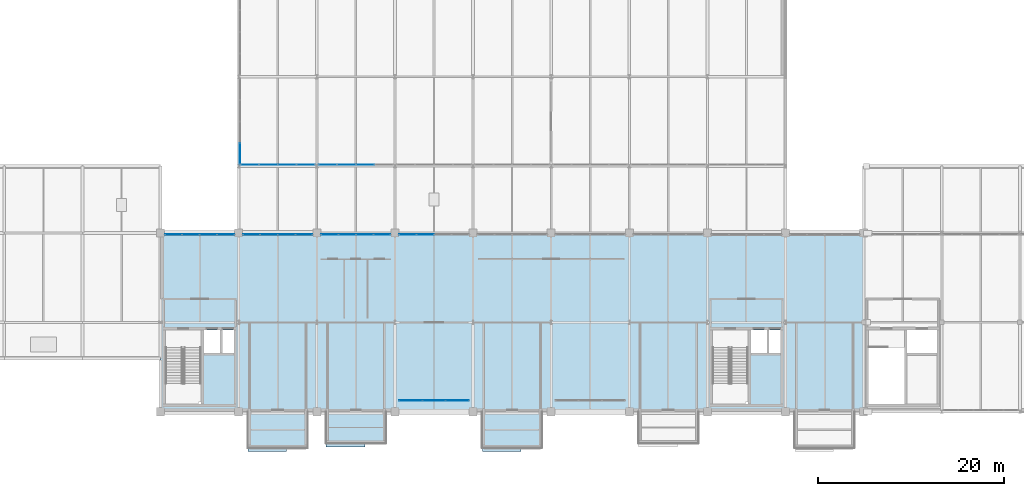
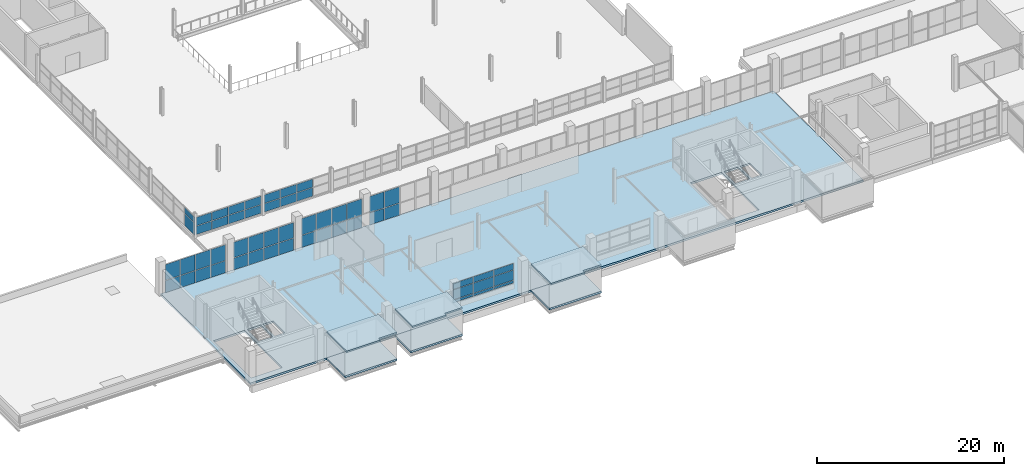
# One storey, part 84 of 103: 53 plates, 7 slabs, 8 elements without a shape of their own.
"""IFC4 building model written with IfcOpenShell, lengths in metres."""

from ifc_helpers import new_model, si_unit, direction, frame, origin, origin_2d, place, context, subcontext, project, spatial, polyline, rectangle, outline, extrude, material, layer, layer_set, type_object, element, aggregate, save


model = new_model("IFC4")

# Units and contexts
model_context = context("Model", 3, precision=1e-05, world=origin(), true_north=direction((0.0, 1.0)))
body_context = subcontext(model_context, "Body", "Model", "MODEL_VIEW")
ifc_project = project(units=[si_unit("LENGTHUNIT", "METRE"), si_unit("AREAUNIT", "SQUARE_METRE"), si_unit("VOLUMEUNIT", "CUBIC_METRE"), si_unit("PLANEANGLEUNIT", "RADIAN"), si_unit("MASSUNIT", "GRAM", prefix="KILO")], contexts=[model_context])

# Site, building, storey
site_placement = place(None, origin())
site = spatial("IfcSite", under=ifc_project, at=site_placement, CompositionType="ELEMENT")
building_placement = place(site_placement, origin())
building = spatial("IfcBuilding", under=site, at=building_placement, Name="Veltarok Museum of Natural Sciences", CompositionType="ELEMENT")
storey_placement = place(building_placement, frame((0.0, 0.0, 21.89990234375)))
storey = spatial("IfcBuildingStorey", under=building, at=storey_placement, Name="L04", CompositionType="ELEMENT", Elevation=21.89990234375)

# Slabs
ifc_material_1 = material(Name="Concrete C35/45", Category="concrete")
ifc_layer_1 = layer(ifc_material_1, 0.199951171875)
ifc_layer_set_1 = layer_set([ifc_layer_1], Name="Concrete C35/45")
slab_type_1 = type_object("IfcSlabType", Name="Cantilevered Cabinet Box Roof Slab 200", PredefinedType="ROOF", material=ifc_layer_set_1)
slab_1_placement = place(storey_placement, frame((0.0, 0.0, 3.25)))
element("IfcSlab", 1, at=slab_1_placement, inside=storey, type_object=slab_type_1, Name="Cabinet Box Roof Slab DB-19", PredefinedType="ROOF", context=body_context, shape_type="SweptSolid", body=[
    extrude(outline(polyline([(41.0, -4.280029296875), (45.159912109375, -4.280029296875), (45.159912109375, -3.89990234375), (47.39990234375, -3.89990234375), (47.39990234375, 0.0), (41.0, 0.0), (41.0, -4.280029296875)])), origin(), (0.0, 0.0, 1.0), 0.2001953125),
])
slab_2_placement = place(storey_placement, frame((0.0, 0.0, 3.25)))
element("IfcSlab", 2, at=slab_2_placement, inside=storey, type_object=slab_type_1, Name="Cabinet Box Roof Slab DB-20", PredefinedType="ROOF", context=body_context, shape_type="SweptSolid", body=[
    extrude(outline(polyline([(49.39990234375, -3.780029296875), (53.56005859375, -3.780029296875), (53.56005859375, -3.39990234375), (55.800048828125, -3.39990234375), (55.800048828125, 0.0), (49.39990234375, 0.0), (49.39990234375, -3.780029296875)])), origin(), (0.0, 0.0, 1.0), 0.2001953125),
])
slab_3_placement = place(storey_placement, frame((0.0, 0.0, 3.25)))
element("IfcSlab", 3, at=slab_3_placement, inside=storey, type_object=slab_type_1, Name="Cabinet Box Roof Slab DB-21", PredefinedType="ROOF", context=body_context, shape_type="SweptSolid", body=[
    extrude(outline(polyline([(66.199951171875, -4.280029296875), (70.360107421875, -4.280029296875), (70.360107421875, -3.89990234375), (72.60009765625, -3.89990234375), (72.60009765625, 0.0), (66.199951171875, 0.0), (66.199951171875, -4.280029296875)])), origin(), (0.0, 0.0, 1.0), 0.2001953125),
])
ifc_layer_2 = layer(ifc_material_1, 0.25)
ifc_layer_set_2 = layer_set([ifc_layer_2], Name="Concrete C35/45")
slab_type_2 = type_object("IfcSlabType", Name="Suspended Museum Floor Slab 250", PredefinedType="FLOOR", material=ifc_layer_set_2)
slab_4_placement = place(storey_placement, frame((0.0, 0.0, -0.25)))
element("IfcSlab", 4, at=slab_4_placement, inside=storey, type_object=slab_type_2, Name="Floor Slab L04 V1", PredefinedType="FLOOR", context=body_context, shape_type="SweptSolid", body=[
    extrude(outline(polyline([(31.60009765625, 0.0), (31.60009765625, 19.199951171875), (107.175048828125, 19.199951171875), (107.175048828125, 0.0), (31.60009765625, 0.0)]), holes=[polyline([(32.1298828125, 8.800048828125), (32.1298828125, 0.800048828125), (35.969970703125, 0.800048828125), (35.969970703125, 8.800048828125), (32.1298828125, 8.800048828125)]), polyline([(94.77001953125, 8.800048828125), (90.929931640625, 8.800048828125), (90.929931640625, 0.800048828125), (94.77001953125, 0.800048828125), (94.77001953125, 8.800048828125)]), polyline([(37.989990234375, 8.800048828125), (36.27001953125, 8.800048828125), (36.27001953125, 6.300048828125), (37.989990234375, 6.300048828125), (37.989990234375, 8.800048828125)]), polyline([(39.469970703125, 8.800048828125), (38.239990234375, 8.800048828125), (38.239990234375, 6.300048828125), (39.469970703125, 6.300048828125), (39.469970703125, 8.800048828125)]), polyline([(96.7900390625, 8.800048828125), (95.070068359375, 8.800048828125), (95.070068359375, 6.300048828125), (96.7900390625, 6.300048828125), (96.7900390625, 8.800048828125)]), polyline([(98.27001953125, 8.800048828125), (97.0400390625, 8.800048828125), (97.0400390625, 6.300048828125), (98.27001953125, 6.300048828125), (98.27001953125, 8.800048828125)])]), origin(), (0.0, 0.0, 1.0), 0.25),
])
slab_5_placement = place(storey_placement, frame((0.0, 0.0, -0.25)))
element("IfcSlab", 5, at=slab_5_placement, inside=storey, type_object=slab_type_2, Name="Cabinet Box Floor Slab DB-19", PredefinedType="FLOOR", context=body_context, shape_type="SweptSolid", body=[
    extrude(outline(polyline([(41.0, -3.89990234375), (47.39990234375, -3.89990234375), (47.39990234375, 0.0), (41.0, 0.0), (41.0, -3.89990234375)])), origin(), (0.0, 0.0, 1.0), 0.25),
])
slab_6_placement = place(storey_placement, frame((0.0, 0.0, -0.25)))
element("IfcSlab", 6, at=slab_6_placement, inside=storey, type_object=slab_type_2, Name="Cabinet Box Floor Slab DB-20", PredefinedType="FLOOR", context=body_context, shape_type="SweptSolid", body=[
    extrude(outline(polyline([(49.39990234375, -3.39990234375), (55.800048828125, -3.39990234375), (55.800048828125, 0.0), (49.39990234375, 0.0), (49.39990234375, -3.39990234375)])), origin(), (0.0, 0.0, 1.0), 0.25),
])
slab_7_placement = place(storey_placement, frame((0.0, 0.0, -0.25)))
element("IfcSlab", 7, at=slab_7_placement, inside=storey, type_object=slab_type_2, Name="Cabinet Box Floor Slab DB-21", PredefinedType="FLOOR", context=body_context, shape_type="SweptSolid", body=[
    extrude(outline(polyline([(66.199951171875, -3.89990234375), (72.60009765625, -3.89990234375), (72.60009765625, 0.0), (66.199951171875, 0.0), (66.199951171875, -3.89990234375)])), origin(), (0.0, 0.0, 1.0), 0.25),
])

# Curtain wall, plates
ifc_material_2 = material(Name="Low-iron triple insulated glass", Category="glass")
curtain_wall_type_1 = type_object("IfcCurtainWallType", Name="Curtain Wall System CW-CAB-L04-B-755x266 (V1 Recessed L04 755x266cm)", PredefinedType="NOTDEFINED", material=ifc_material_2)
curtain_wall_1_placement = place(storey_placement, origin())
curtain_wall_1 = element("IfcCurtainWall", 8, at=curtain_wall_1_placement, inside=storey, type_object=curtain_wall_type_1, Name="Curtain Wall CW-CAB-L04-B-755x266 CW-0007", PredefinedType="NOTDEFINED")
ifc_layer_3 = layer(ifc_material_2, 0.028076171875)
ifc_layer_set_3 = layer_set([ifc_layer_3], Name="Low-iron triple insulated glass")
plate_type = type_object("IfcPlateType", Name="Triple Low-Iron Glazed Vision Panel 28", PredefinedType="CURTAIN_PANEL", material=ifc_layer_set_3)
plate_1_placement = place(storey_placement, frame((58.498291015625, 1.199951171875, 0.739990234375), z_axis=(0.0, 0.0, 1.0), x_axis=(1.0, 0.0, 0.0)))
plate_1 = element("IfcPlate", 9, at=plate_1_placement, type_object=plate_type, Name="CW-CAB-L04-B-755x266 panel 1.1", PredefinedType="CURTAIN_PANEL", context=body_context, shape_type="SweptSolid", body=[
    extrude(rectangle(XDim=2.4267578125, YDim=0.028076171875, at=origin_2d()), origin(), (0.0, 0.0, 1.0), 0.330078125),
])
plate_2_placement = place(storey_placement, frame((58.498291015625, 1.199951171875, 1.130126953125), z_axis=(0.0, 0.0, 1.0), x_axis=(1.0, 0.0, 0.0)))
plate_2 = element("IfcPlate", 10, at=plate_2_placement, type_object=plate_type, Name="CW-CAB-L04-B-755x266 panel 1.2", PredefinedType="CURTAIN_PANEL", context=body_context, shape_type="SweptSolid", body=[
    extrude(rectangle(XDim=2.4267578125, YDim=0.028076171875, at=origin_2d()), origin(), (0.0, 0.0, 1.0), 1.2900390625),
])
plate_3_placement = place(storey_placement, frame((58.498291015625, 1.199951171875, 2.480224609375), z_axis=(0.0, 0.0, 1.0), x_axis=(1.0, 0.0, 0.0)))
plate_3 = element("IfcPlate", 11, at=plate_3_placement, type_object=plate_type, Name="CW-CAB-L04-B-755x266 panel 1.3", PredefinedType="CURTAIN_PANEL", context=body_context, shape_type="SweptSolid", body=[
    extrude(rectangle(XDim=2.4267578125, YDim=0.028076171875, at=origin_2d()), origin(), (0.0, 0.0, 1.0), 0.794921875),
])
plate_4_placement = place(storey_placement, frame((61.0, 1.199951171875, 0.739990234375), z_axis=(0.0, 0.0, 1.0), x_axis=(1.0, 0.0, 0.0)))
plate_4 = element("IfcPlate", 12, at=plate_4_placement, type_object=plate_type, Name="CW-CAB-L04-B-755x266 panel 2.1", PredefinedType="CURTAIN_PANEL", context=body_context, shape_type="SweptSolid", body=[
    extrude(rectangle(XDim=2.456787109375, YDim=0.028076171875, at=origin_2d()), origin(), (0.0, 0.0, 1.0), 0.330078125),
])
plate_5_placement = place(storey_placement, frame((61.0, 1.199951171875, 1.130126953125), z_axis=(0.0, 0.0, 1.0), x_axis=(1.0, 0.0, 0.0)))
plate_5 = element("IfcPlate", 13, at=plate_5_placement, type_object=plate_type, Name="CW-CAB-L04-B-755x266 panel 2.2", PredefinedType="CURTAIN_PANEL", context=body_context, shape_type="SweptSolid", body=[
    extrude(rectangle(XDim=2.456787109375, YDim=0.028076171875, at=origin_2d()), origin(), (0.0, 0.0, 1.0), 1.2900390625),
])
plate_6_placement = place(storey_placement, frame((61.0, 1.199951171875, 2.480224609375), z_axis=(0.0, 0.0, 1.0), x_axis=(1.0, 0.0, 0.0)))
plate_6 = element("IfcPlate", 14, at=plate_6_placement, type_object=plate_type, Name="CW-CAB-L04-B-755x266 panel 2.3", PredefinedType="CURTAIN_PANEL", context=body_context, shape_type="SweptSolid", body=[
    extrude(rectangle(XDim=2.456787109375, YDim=0.028076171875, at=origin_2d()), origin(), (0.0, 0.0, 1.0), 0.794921875),
])
plate_7_placement = place(storey_placement, frame((63.501708984375, 1.199951171875, 0.739990234375), z_axis=(0.0, 0.0, 1.0), x_axis=(1.0, 0.0, 0.0)))
plate_7 = element("IfcPlate", 15, at=plate_7_placement, type_object=plate_type, Name="CW-CAB-L04-B-755x266 panel 3.1", PredefinedType="CURTAIN_PANEL", context=body_context, shape_type="SweptSolid", body=[
    extrude(rectangle(XDim=2.4267578125, YDim=0.028076171875, at=origin_2d()), origin(), (0.0, 0.0, 1.0), 0.330078125),
])
plate_8_placement = place(storey_placement, frame((63.501708984375, 1.199951171875, 1.130126953125), z_axis=(0.0, 0.0, 1.0), x_axis=(1.0, 0.0, 0.0)))
plate_8 = element("IfcPlate", 16, at=plate_8_placement, type_object=plate_type, Name="CW-CAB-L04-B-755x266 panel 3.2", PredefinedType="CURTAIN_PANEL", context=body_context, shape_type="SweptSolid", body=[
    extrude(rectangle(XDim=2.4267578125, YDim=0.028076171875, at=origin_2d()), origin(), (0.0, 0.0, 1.0), 1.2900390625),
])
plate_9_placement = place(storey_placement, frame((63.501708984375, 1.199951171875, 2.480224609375), z_axis=(0.0, 0.0, 1.0), x_axis=(1.0, 0.0, 0.0)))
plate_9 = element("IfcPlate", 17, at=plate_9_placement, type_object=plate_type, Name="CW-CAB-L04-B-755x266 panel 3.3", PredefinedType="CURTAIN_PANEL", context=body_context, shape_type="SweptSolid", body=[
    extrude(rectangle(XDim=2.4267578125, YDim=0.028076171875, at=origin_2d()), origin(), (0.0, 0.0, 1.0), 0.794921875),
])
aggregate(curtain_wall_1, [plate_1, plate_2, plate_3, plate_4, plate_5, plate_6, plate_7, plate_8, plate_9])

curtain_wall_type_2 = type_object("IfcCurtainWallType", Name="Curtain Wall System CW-V2W-L04-3-926x249 (CW-V2W L04 926x249cm)", PredefinedType="NOTDEFINED", material=ifc_material_2)
curtain_wall_2_placement = place(storey_placement, origin())
curtain_wall_2 = element("IfcCurtainWall", 18, at=curtain_wall_2_placement, inside=storey, type_object=curtain_wall_type_2, Name="Curtain Wall CW-V2W-L04-3-926x249 CW-0147", PredefinedType="NOTDEFINED")
plate_10_placement = place(storey_placement, frame((40.14990234375, 27.742431640625, 0.05810546875), z_axis=(0.0, 0.0, 1.0), x_axis=(0.0, 1.0, 0.0)))
plate_10 = element("IfcPlate", 19, at=plate_10_placement, type_object=plate_type, Name="CW-V2W-L04-3-926x249 panel 1.1", PredefinedType="CURTAIN_PANEL", context=body_context, shape_type="SweptSolid", body=[
    extrude(rectangle(XDim=2.22509765625, YDim=0.028076171875, at=origin_2d()), origin(), (0.0, 0.0, 1.0), 1.56005859375),
])
plate_11_placement = place(storey_placement, frame((40.14990234375, 27.742431640625, 1.67822265625), z_axis=(0.0, 0.0, 1.0), x_axis=(0.0, 1.0, 0.0)))
plate_11 = element("IfcPlate", 20, at=plate_11_placement, type_object=plate_type, Name="CW-V2W-L04-3-926x249 panel 1.2", PredefinedType="CURTAIN_PANEL", context=body_context, shape_type="SweptSolid", body=[
    extrude(rectangle(XDim=2.22509765625, YDim=0.028076171875, at=origin_2d()), origin(), (0.0, 0.0, 1.0), 0.751953125),
])
aggregate(curtain_wall_2, [plate_10, plate_11])

curtain_wall_type_3 = type_object("IfcCurtainWallType", Name="Curtain Wall System CW-V1CN4-L04-2-755x378 (CW-V1CN4 L04 755x378cm)", PredefinedType="NOTDEFINED", material=ifc_material_2)
curtain_wall_3_placement = place(storey_placement, origin())
curtain_wall_3 = element("IfcCurtainWall", 21, at=curtain_wall_3_placement, inside=storey, type_object=curtain_wall_type_3, Name="Curtain Wall CW-V1CN4-L04-2-755x378 CW-0162", PredefinedType="NOTDEFINED")
plate_12_placement = place(storey_placement, frame((38.6162109375, 19.050048828125, 0.05810546875), z_axis=(0.0, 0.0, 1.0), x_axis=(-1.0, 0.0, 0.0)))
plate_12 = element("IfcPlate", 22, at=plate_12_placement, type_object=plate_type, Name="CW-V1CN4-L04-2-755x378 panel 1.1", PredefinedType="CURTAIN_PANEL", context=body_context, shape_type="SweptSolid", body=[
    extrude(rectangle(XDim=1.797607421875, YDim=0.028076171875, at=origin_2d()), origin(), (0.0, 0.0, 1.0), 1.56005859375),
])
plate_13_placement = place(storey_placement, frame((38.6162109375, 19.050048828125, 1.67822265625), z_axis=(0.0, 0.0, 1.0), x_axis=(-1.0, 0.0, 0.0)))
plate_13 = element("IfcPlate", 23, at=plate_13_placement, type_object=plate_type, Name="CW-V1CN4-L04-2-755x378 panel 1.2", PredefinedType="CURTAIN_PANEL", context=body_context, shape_type="SweptSolid", body=[
    extrude(rectangle(XDim=1.797607421875, YDim=0.028076171875, at=origin_2d()), origin(), (0.0, 0.0, 1.0), 2.0419921875),
])
plate_14_placement = place(storey_placement, frame((36.74365234375, 19.050048828125, 0.05810546875), z_axis=(0.0, 0.0, 1.0), x_axis=(-1.0, 0.0, 0.0)))
plate_14 = element("IfcPlate", 24, at=plate_14_placement, type_object=plate_type, Name="CW-V1CN4-L04-2-755x378 panel 2.1", PredefinedType="CURTAIN_PANEL", context=body_context, shape_type="SweptSolid", body=[
    extrude(rectangle(XDim=1.827392578125, YDim=0.028076171875, at=origin_2d()), origin(), (0.0, 0.0, 1.0), 1.56005859375),
])
plate_15_placement = place(storey_placement, frame((36.74365234375, 19.050048828125, 1.67822265625), z_axis=(0.0, 0.0, 1.0), x_axis=(-1.0, 0.0, 0.0)))
plate_15 = element("IfcPlate", 25, at=plate_15_placement, type_object=plate_type, Name="CW-V1CN4-L04-2-755x378 panel 2.2", PredefinedType="CURTAIN_PANEL", context=body_context, shape_type="SweptSolid", body=[
    extrude(rectangle(XDim=1.827392578125, YDim=0.028076171875, at=origin_2d()), origin(), (0.0, 0.0, 1.0), 2.0419921875),
])
plate_16_placement = place(storey_placement, frame((34.856201171875, 19.050048828125, 0.05810546875), z_axis=(0.0, 0.0, 1.0), x_axis=(-1.0, 0.0, 0.0)))
plate_16 = element("IfcPlate", 26, at=plate_16_placement, type_object=plate_type, Name="CW-V1CN4-L04-2-755x378 panel 3.1", PredefinedType="CURTAIN_PANEL", context=body_context, shape_type="SweptSolid", body=[
    extrude(rectangle(XDim=1.827392578125, YDim=0.028076171875, at=origin_2d()), origin(), (0.0, 0.0, 1.0), 1.56005859375),
])
plate_17_placement = place(storey_placement, frame((34.856201171875, 19.050048828125, 1.67822265625), z_axis=(0.0, 0.0, 1.0), x_axis=(-1.0, 0.0, 0.0)))
plate_17 = element("IfcPlate", 27, at=plate_17_placement, type_object=plate_type, Name="CW-V1CN4-L04-2-755x378 panel 3.2", PredefinedType="CURTAIN_PANEL", context=body_context, shape_type="SweptSolid", body=[
    extrude(rectangle(XDim=1.827392578125, YDim=0.028076171875, at=origin_2d()), origin(), (0.0, 0.0, 1.0), 2.0419921875),
])
plate_18_placement = place(storey_placement, frame((32.983642578125, 19.050048828125, 0.05810546875), z_axis=(0.0, 0.0, 1.0), x_axis=(-1.0, 0.0, 0.0)))
plate_18 = element("IfcPlate", 28, at=plate_18_placement, type_object=plate_type, Name="CW-V1CN4-L04-2-755x378 panel 4.1", PredefinedType="CURTAIN_PANEL", context=body_context, shape_type="SweptSolid", body=[
    extrude(rectangle(XDim=1.797607421875, YDim=0.028076171875, at=origin_2d()), origin(), (0.0, 0.0, 1.0), 1.56005859375),
])
plate_19_placement = place(storey_placement, frame((32.983642578125, 19.050048828125, 1.67822265625), z_axis=(0.0, 0.0, 1.0), x_axis=(-1.0, 0.0, 0.0)))
plate_19 = element("IfcPlate", 29, at=plate_19_placement, type_object=plate_type, Name="CW-V1CN4-L04-2-755x378 panel 4.2", PredefinedType="CURTAIN_PANEL", context=body_context, shape_type="SweptSolid", body=[
    extrude(rectangle(XDim=1.797607421875, YDim=0.028076171875, at=origin_2d()), origin(), (0.0, 0.0, 1.0), 2.0419921875),
])
aggregate(curtain_wall_3, [plate_12, plate_13, plate_14, plate_15, plate_16, plate_17, plate_18, plate_19])

curtain_wall_type_4 = type_object("IfcCurtainWallType", Name="Curtain Wall System CW-V1CN4-L04-3-755x373 (CW-V1CN4 L04 755x373cm)", PredefinedType="NOTDEFINED", material=ifc_material_2)
curtain_wall_4_placement = place(storey_placement, origin())
curtain_wall_4 = element("IfcCurtainWall", 30, at=curtain_wall_4_placement, inside=storey, type_object=curtain_wall_type_4, Name="Curtain Wall CW-V1CN4-L04-3-755x373 CW-0163", PredefinedType="NOTDEFINED")
plate_20_placement = place(storey_placement, frame((47.016357421875, 19.050048828125, 0.05810546875), z_axis=(0.0, 0.0, 1.0), x_axis=(-1.0, 0.0, 0.0)))
plate_20 = element("IfcPlate", 31, at=plate_20_placement, type_object=plate_type, Name="CW-V1CN4-L04-3-755x373 panel 1.1", PredefinedType="CURTAIN_PANEL", context=body_context, shape_type="SweptSolid", body=[
    extrude(rectangle(XDim=1.797607421875, YDim=0.028076171875, at=origin_2d()), origin(), (0.0, 0.0, 1.0), 1.56005859375),
])
plate_21_placement = place(storey_placement, frame((47.016357421875, 19.050048828125, 1.67822265625), z_axis=(0.0, 0.0, 1.0), x_axis=(-1.0, 0.0, 0.0)))
plate_21 = element("IfcPlate", 32, at=plate_21_placement, type_object=plate_type, Name="CW-V1CN4-L04-3-755x373 panel 1.2", PredefinedType="CURTAIN_PANEL", context=body_context, shape_type="SweptSolid", body=[
    extrude(rectangle(XDim=1.797607421875, YDim=0.028076171875, at=origin_2d()), origin(), (0.0, 0.0, 1.0), 1.991943359375),
])
plate_22_placement = place(storey_placement, frame((45.143798828125, 19.050048828125, 0.05810546875), z_axis=(0.0, 0.0, 1.0), x_axis=(-1.0, 0.0, 0.0)))
plate_22 = element("IfcPlate", 33, at=plate_22_placement, type_object=plate_type, Name="CW-V1CN4-L04-3-755x373 panel 2.1", PredefinedType="CURTAIN_PANEL", context=body_context, shape_type="SweptSolid", body=[
    extrude(rectangle(XDim=1.827392578125, YDim=0.028076171875, at=origin_2d()), origin(), (0.0, 0.0, 1.0), 1.56005859375),
])
plate_23_placement = place(storey_placement, frame((45.143798828125, 19.050048828125, 1.67822265625), z_axis=(0.0, 0.0, 1.0), x_axis=(-1.0, 0.0, 0.0)))
plate_23 = element("IfcPlate", 34, at=plate_23_placement, type_object=plate_type, Name="CW-V1CN4-L04-3-755x373 panel 2.2", PredefinedType="CURTAIN_PANEL", context=body_context, shape_type="SweptSolid", body=[
    extrude(rectangle(XDim=1.827392578125, YDim=0.028076171875, at=origin_2d()), origin(), (0.0, 0.0, 1.0), 1.991943359375),
])
plate_24_placement = place(storey_placement, frame((43.25634765625, 19.050048828125, 0.05810546875), z_axis=(0.0, 0.0, 1.0), x_axis=(-1.0, 0.0, 0.0)))
plate_24 = element("IfcPlate", 35, at=plate_24_placement, type_object=plate_type, Name="CW-V1CN4-L04-3-755x373 panel 3.1", PredefinedType="CURTAIN_PANEL", context=body_context, shape_type="SweptSolid", body=[
    extrude(rectangle(XDim=1.827392578125, YDim=0.028076171875, at=origin_2d()), origin(), (0.0, 0.0, 1.0), 1.56005859375),
])
plate_25_placement = place(storey_placement, frame((43.25634765625, 19.050048828125, 1.67822265625), z_axis=(0.0, 0.0, 1.0), x_axis=(-1.0, 0.0, 0.0)))
plate_25 = element("IfcPlate", 36, at=plate_25_placement, type_object=plate_type, Name="CW-V1CN4-L04-3-755x373 panel 3.2", PredefinedType="CURTAIN_PANEL", context=body_context, shape_type="SweptSolid", body=[
    extrude(rectangle(XDim=1.827392578125, YDim=0.028076171875, at=origin_2d()), origin(), (0.0, 0.0, 1.0), 1.991943359375),
])
plate_26_placement = place(storey_placement, frame((41.3837890625, 19.050048828125, 0.05810546875), z_axis=(0.0, 0.0, 1.0), x_axis=(-1.0, 0.0, 0.0)))
plate_26 = element("IfcPlate", 37, at=plate_26_placement, type_object=plate_type, Name="CW-V1CN4-L04-3-755x373 panel 4.1", PredefinedType="CURTAIN_PANEL", context=body_context, shape_type="SweptSolid", body=[
    extrude(rectangle(XDim=1.797607421875, YDim=0.028076171875, at=origin_2d()), origin(), (0.0, 0.0, 1.0), 1.56005859375),
])
plate_27_placement = place(storey_placement, frame((41.3837890625, 19.050048828125, 1.67822265625), z_axis=(0.0, 0.0, 1.0), x_axis=(-1.0, 0.0, 0.0)))
plate_27 = element("IfcPlate", 38, at=plate_27_placement, type_object=plate_type, Name="CW-V1CN4-L04-3-755x373 panel 4.2", PredefinedType="CURTAIN_PANEL", context=body_context, shape_type="SweptSolid", body=[
    extrude(rectangle(XDim=1.797607421875, YDim=0.028076171875, at=origin_2d()), origin(), (0.0, 0.0, 1.0), 1.991943359375),
])
aggregate(curtain_wall_4, [plate_20, plate_21, plate_22, plate_23, plate_24, plate_25, plate_26, plate_27])

curtain_wall_type_5 = type_object("IfcCurtainWallType", Name="Curtain Wall System CW-V1CN4-L04-0-755x388 (CW-V1CN4 L04 755x388cm)", PredefinedType="NOTDEFINED", material=ifc_material_2)
curtain_wall_5_placement = place(storey_placement, origin())
curtain_wall_5 = element("IfcCurtainWall", 39, at=curtain_wall_5_placement, inside=storey, type_object=curtain_wall_type_5, Name="Curtain Wall CW-V1CN4-L04-0-755x388 CW-0164", PredefinedType="NOTDEFINED")
plate_28_placement = place(storey_placement, frame((55.416259765625, 19.050048828125, 0.05810546875), z_axis=(0.0, 0.0, 1.0), x_axis=(-1.0, 0.0, 0.0)))
plate_28 = element("IfcPlate", 40, at=plate_28_placement, type_object=plate_type, Name="CW-V1CN4-L04-0-755x388 panel 1.1", PredefinedType="CURTAIN_PANEL", context=body_context, shape_type="SweptSolid", body=[
    extrude(rectangle(XDim=1.797607421875, YDim=0.028076171875, at=origin_2d()), origin(), (0.0, 0.0, 1.0), 1.56005859375),
])
plate_29_placement = place(storey_placement, frame((55.416259765625, 19.050048828125, 1.677978515625), z_axis=(0.0, 0.0, 1.0), x_axis=(-1.0, 0.0, 0.0)))
plate_29 = element("IfcPlate", 41, at=plate_29_placement, type_object=plate_type, Name="CW-V1CN4-L04-0-755x388 panel 1.2", PredefinedType="CURTAIN_PANEL", context=body_context, shape_type="SweptSolid", body=[
    extrude(rectangle(XDim=1.797607421875, YDim=0.028076171875, at=origin_2d()), origin(), (0.0, 0.0, 1.0), 2.14208984375),
])
plate_30_placement = place(storey_placement, frame((53.543701171875, 19.050048828125, 0.05810546875), z_axis=(0.0, 0.0, 1.0), x_axis=(-1.0, 0.0, 0.0)))
plate_30 = element("IfcPlate", 42, at=plate_30_placement, type_object=plate_type, Name="CW-V1CN4-L04-0-755x388 panel 2.1", PredefinedType="CURTAIN_PANEL", context=body_context, shape_type="SweptSolid", body=[
    extrude(rectangle(XDim=1.827392578125, YDim=0.028076171875, at=origin_2d()), origin(), (0.0, 0.0, 1.0), 1.56005859375),
])
plate_31_placement = place(storey_placement, frame((53.543701171875, 19.050048828125, 1.677978515625), z_axis=(0.0, 0.0, 1.0), x_axis=(-1.0, 0.0, 0.0)))
plate_31 = element("IfcPlate", 43, at=plate_31_placement, type_object=plate_type, Name="CW-V1CN4-L04-0-755x388 panel 2.2", PredefinedType="CURTAIN_PANEL", context=body_context, shape_type="SweptSolid", body=[
    extrude(rectangle(XDim=1.827392578125, YDim=0.028076171875, at=origin_2d()), origin(), (0.0, 0.0, 1.0), 2.14208984375),
])
plate_32_placement = place(storey_placement, frame((51.65625, 19.050048828125, 0.05810546875), z_axis=(0.0, 0.0, 1.0), x_axis=(-1.0, 0.0, 0.0)))
plate_32 = element("IfcPlate", 44, at=plate_32_placement, type_object=plate_type, Name="CW-V1CN4-L04-0-755x388 panel 3.1", PredefinedType="CURTAIN_PANEL", context=body_context, shape_type="SweptSolid", body=[
    extrude(rectangle(XDim=1.827392578125, YDim=0.028076171875, at=origin_2d()), origin(), (0.0, 0.0, 1.0), 1.56005859375),
])
plate_33_placement = place(storey_placement, frame((51.65625, 19.050048828125, 1.677978515625), z_axis=(0.0, 0.0, 1.0), x_axis=(-1.0, 0.0, 0.0)))
plate_33 = element("IfcPlate", 45, at=plate_33_placement, type_object=plate_type, Name="CW-V1CN4-L04-0-755x388 panel 3.2", PredefinedType="CURTAIN_PANEL", context=body_context, shape_type="SweptSolid", body=[
    extrude(rectangle(XDim=1.827392578125, YDim=0.028076171875, at=origin_2d()), origin(), (0.0, 0.0, 1.0), 2.14208984375),
])
plate_34_placement = place(storey_placement, frame((49.78369140625, 19.050048828125, 0.05810546875), z_axis=(0.0, 0.0, 1.0), x_axis=(-1.0, 0.0, 0.0)))
plate_34 = element("IfcPlate", 46, at=plate_34_placement, type_object=plate_type, Name="CW-V1CN4-L04-0-755x388 panel 4.1", PredefinedType="CURTAIN_PANEL", context=body_context, shape_type="SweptSolid", body=[
    extrude(rectangle(XDim=1.797607421875, YDim=0.028076171875, at=origin_2d()), origin(), (0.0, 0.0, 1.0), 1.56005859375),
])
plate_35_placement = place(storey_placement, frame((49.78369140625, 19.050048828125, 1.677978515625), z_axis=(0.0, 0.0, 1.0), x_axis=(-1.0, 0.0, 0.0)))
plate_35 = element("IfcPlate", 47, at=plate_35_placement, type_object=plate_type, Name="CW-V1CN4-L04-0-755x388 panel 4.2", PredefinedType="CURTAIN_PANEL", context=body_context, shape_type="SweptSolid", body=[
    extrude(rectangle(XDim=1.797607421875, YDim=0.028076171875, at=origin_2d()), origin(), (0.0, 0.0, 1.0), 2.14208984375),
])
aggregate(curtain_wall_5, [plate_28, plate_29, plate_30, plate_31, plate_32, plate_33, plate_34, plate_35])

curtain_wall_type_6 = type_object("IfcCurtainWallType", Name="Curtain Wall System CW-V1CN4-L04-1-755x383 (CW-V1CN4 L04 755x383cm)", PredefinedType="NOTDEFINED", material=ifc_material_2)
curtain_wall_6_placement = place(storey_placement, origin())
curtain_wall_6 = element("IfcCurtainWall", 48, at=curtain_wall_6_placement, inside=storey, type_object=curtain_wall_type_6, Name="Curtain Wall CW-V1CN4-L04-1-755x383 CW-0165", PredefinedType="NOTDEFINED")
plate_36_placement = place(storey_placement, frame((60.05615234375, 19.050048828125, 0.05810546875), z_axis=(0.0, 0.0, 1.0), x_axis=(-1.0, 0.0, 0.0)))
plate_36 = element("IfcPlate", 49, at=plate_36_placement, type_object=plate_type, Name="CW-V1CN4-L04-1-755x383 panel 3.1", PredefinedType="CURTAIN_PANEL", context=body_context, shape_type="SweptSolid", body=[
    extrude(rectangle(XDim=1.827392578125, YDim=0.028076171875, at=origin_2d()), origin(), (0.0, 0.0, 1.0), 1.56005859375),
])
plate_37_placement = place(storey_placement, frame((60.05615234375, 19.050048828125, 1.67822265625), z_axis=(0.0, 0.0, 1.0), x_axis=(-1.0, 0.0, 0.0)))
plate_37 = element("IfcPlate", 50, at=plate_37_placement, type_object=plate_type, Name="CW-V1CN4-L04-1-755x383 panel 3.2", PredefinedType="CURTAIN_PANEL", context=body_context, shape_type="SweptSolid", body=[
    extrude(rectangle(XDim=1.827392578125, YDim=0.028076171875, at=origin_2d()), origin(), (0.0, 0.0, 1.0), 2.092041015625),
])
plate_38_placement = place(storey_placement, frame((58.183837890625, 19.050048828125, 0.05810546875), z_axis=(0.0, 0.0, 1.0), x_axis=(-1.0, 0.0, 0.0)))
plate_38 = element("IfcPlate", 51, at=plate_38_placement, type_object=plate_type, Name="CW-V1CN4-L04-1-755x383 panel 4.1", PredefinedType="CURTAIN_PANEL", context=body_context, shape_type="SweptSolid", body=[
    extrude(rectangle(XDim=1.797607421875, YDim=0.028076171875, at=origin_2d()), origin(), (0.0, 0.0, 1.0), 1.56005859375),
])
plate_39_placement = place(storey_placement, frame((58.183837890625, 19.050048828125, 1.67822265625), z_axis=(0.0, 0.0, 1.0), x_axis=(-1.0, 0.0, 0.0)))
plate_39 = element("IfcPlate", 52, at=plate_39_placement, type_object=plate_type, Name="CW-V1CN4-L04-1-755x383 panel 4.2", PredefinedType="CURTAIN_PANEL", context=body_context, shape_type="SweptSolid", body=[
    extrude(rectangle(XDim=1.797607421875, YDim=0.028076171875, at=origin_2d()), origin(), (0.0, 0.0, 1.0), 2.092041015625),
])
aggregate(curtain_wall_6, [plate_36, plate_37, plate_38, plate_39])

curtain_wall_type_7 = type_object("IfcCurtainWallType", Name="Curtain Wall System CW-V2S-L04-810x236 (V2 South Setback L04 810x236cm)", PredefinedType="NOTDEFINED", material=ifc_material_2)
curtain_wall_7_placement = place(storey_placement, origin())
curtain_wall_7 = element("IfcCurtainWall", 53, at=curtain_wall_7_placement, inside=storey, type_object=curtain_wall_type_7, Name="Curtain Wall CW-V2S-L04-810x236 CW-0223", PredefinedType="NOTDEFINED")
plate_40_placement = place(storey_placement, frame((41.177490234375, 26.550048828125, 0.219970703125), z_axis=(0.0, 0.0, 1.0), x_axis=(1.0, 0.0, 0.0)))
plate_40 = element("IfcPlate", 54, at=plate_40_placement, type_object=plate_type, Name="CW-V2S-L04-810x236 panel 1.1", PredefinedType="CURTAIN_PANEL", context=body_context, shape_type="SweptSolid", body=[
    extrude(rectangle(XDim=1.93505859375, YDim=0.028076171875, at=origin_2d()), origin(), (0.0, 0.0, 1.0), 1.10009765625),
])
plate_41_placement = place(storey_placement, frame((41.177490234375, 26.550048828125, 1.380126953125), z_axis=(0.0, 0.0, 1.0), x_axis=(1.0, 0.0, 0.0)))
plate_41 = element("IfcPlate", 55, at=plate_41_placement, type_object=plate_type, Name="CW-V2S-L04-810x236 panel 1.2", PredefinedType="CURTAIN_PANEL", context=body_context, shape_type="SweptSolid", body=[
    extrude(rectangle(XDim=1.93505859375, YDim=0.028076171875, at=origin_2d()), origin(), (0.0, 0.0, 1.0), 1.080078125),
])
plate_42_placement = place(storey_placement, frame((43.1875, 26.550048828125, 0.219970703125), z_axis=(0.0, 0.0, 1.0), x_axis=(1.0, 0.0, 0.0)))
plate_42 = element("IfcPlate", 56, at=plate_42_placement, type_object=plate_type, Name="CW-V2S-L04-810x236 panel 2.1", PredefinedType="CURTAIN_PANEL", context=body_context, shape_type="SweptSolid", body=[
    extrude(rectangle(XDim=1.965087890625, YDim=0.028076171875, at=origin_2d()), origin(), (0.0, 0.0, 1.0), 1.10009765625),
])
plate_43_placement = place(storey_placement, frame((43.1875, 26.550048828125, 1.380126953125), z_axis=(0.0, 0.0, 1.0), x_axis=(1.0, 0.0, 0.0)))
plate_43 = element("IfcPlate", 57, at=plate_43_placement, type_object=plate_type, Name="CW-V2S-L04-810x236 panel 2.2", PredefinedType="CURTAIN_PANEL", context=body_context, shape_type="SweptSolid", body=[
    extrude(rectangle(XDim=1.965087890625, YDim=0.028076171875, at=origin_2d()), origin(), (0.0, 0.0, 1.0), 1.080078125),
])
plate_44_placement = place(storey_placement, frame((45.21240234375, 26.550048828125, 0.219970703125), z_axis=(0.0, 0.0, 1.0), x_axis=(1.0, 0.0, 0.0)))
plate_44 = element("IfcPlate", 58, at=plate_44_placement, type_object=plate_type, Name="CW-V2S-L04-810x236 panel 3.1", PredefinedType="CURTAIN_PANEL", context=body_context, shape_type="SweptSolid", body=[
    extrude(rectangle(XDim=1.965087890625, YDim=0.028076171875, at=origin_2d()), origin(), (0.0, 0.0, 1.0), 1.10009765625),
])
plate_45_placement = place(storey_placement, frame((45.21240234375, 26.550048828125, 1.380126953125), z_axis=(0.0, 0.0, 1.0), x_axis=(1.0, 0.0, 0.0)))
plate_45 = element("IfcPlate", 59, at=plate_45_placement, type_object=plate_type, Name="CW-V2S-L04-810x236 panel 3.2", PredefinedType="CURTAIN_PANEL", context=body_context, shape_type="SweptSolid", body=[
    extrude(rectangle(XDim=1.965087890625, YDim=0.028076171875, at=origin_2d()), origin(), (0.0, 0.0, 1.0), 1.080078125),
])
plate_46_placement = place(storey_placement, frame((47.222412109375, 26.550048828125, 0.219970703125), z_axis=(0.0, 0.0, 1.0), x_axis=(1.0, 0.0, 0.0)))
plate_46 = element("IfcPlate", 60, at=plate_46_placement, type_object=plate_type, Name="CW-V2S-L04-810x236 panel 4.1", PredefinedType="CURTAIN_PANEL", context=body_context, shape_type="SweptSolid", body=[
    extrude(rectangle(XDim=1.93505859375, YDim=0.028076171875, at=origin_2d()), origin(), (0.0, 0.0, 1.0), 1.10009765625),
])
plate_47_placement = place(storey_placement, frame((47.222412109375, 26.550048828125, 1.380126953125), z_axis=(0.0, 0.0, 1.0), x_axis=(1.0, 0.0, 0.0)))
plate_47 = element("IfcPlate", 61, at=plate_47_placement, type_object=plate_type, Name="CW-V2S-L04-810x236 panel 4.2", PredefinedType="CURTAIN_PANEL", context=body_context, shape_type="SweptSolid", body=[
    extrude(rectangle(XDim=1.93505859375, YDim=0.028076171875, at=origin_2d()), origin(), (0.0, 0.0, 1.0), 1.080078125),
])
aggregate(curtain_wall_7, [plate_40, plate_41, plate_42, plate_43, plate_44, plate_45, plate_46, plate_47])

curtain_wall_8_placement = place(storey_placement, origin())
curtain_wall_8 = element("IfcCurtainWall", 62, at=curtain_wall_8_placement, inside=storey, type_object=curtain_wall_type_7, Name="Curtain Wall CW-V2S-L04-810x236 CW-0224", PredefinedType="NOTDEFINED")
plate_48_placement = place(storey_placement, frame((49.577392578125, 26.550048828125, 0.219970703125), z_axis=(0.0, 0.0, 1.0), x_axis=(1.0, 0.0, 0.0)))
plate_48 = element("IfcPlate", 63, at=plate_48_placement, type_object=plate_type, Name="CW-V2S-L04-810x236 panel 1.1", PredefinedType="CURTAIN_PANEL", context=body_context, shape_type="SweptSolid", body=[
    extrude(rectangle(XDim=1.93505859375, YDim=0.028076171875, at=origin_2d()), origin(), (0.0, 0.0, 1.0), 1.10009765625),
])
plate_49_placement = place(storey_placement, frame((49.577392578125, 26.550048828125, 1.380126953125), z_axis=(0.0, 0.0, 1.0), x_axis=(1.0, 0.0, 0.0)))
plate_49 = element("IfcPlate", 64, at=plate_49_placement, type_object=plate_type, Name="CW-V2S-L04-810x236 panel 1.2", PredefinedType="CURTAIN_PANEL", context=body_context, shape_type="SweptSolid", body=[
    extrude(rectangle(XDim=1.93505859375, YDim=0.028076171875, at=origin_2d()), origin(), (0.0, 0.0, 1.0), 1.080078125),
])
plate_50_placement = place(storey_placement, frame((51.58740234375, 26.550048828125, 0.219970703125), z_axis=(0.0, 0.0, 1.0), x_axis=(1.0, 0.0, 0.0)))
plate_50 = element("IfcPlate", 65, at=plate_50_placement, type_object=plate_type, Name="CW-V2S-L04-810x236 panel 2.1", PredefinedType="CURTAIN_PANEL", context=body_context, shape_type="SweptSolid", body=[
    extrude(rectangle(XDim=1.965087890625, YDim=0.028076171875, at=origin_2d()), origin(), (0.0, 0.0, 1.0), 1.10009765625),
])
plate_51_placement = place(storey_placement, frame((51.58740234375, 26.550048828125, 1.380126953125), z_axis=(0.0, 0.0, 1.0), x_axis=(1.0, 0.0, 0.0)))
plate_51 = element("IfcPlate", 66, at=plate_51_placement, type_object=plate_type, Name="CW-V2S-L04-810x236 panel 2.2", PredefinedType="CURTAIN_PANEL", context=body_context, shape_type="SweptSolid", body=[
    extrude(rectangle(XDim=1.965087890625, YDim=0.028076171875, at=origin_2d()), origin(), (0.0, 0.0, 1.0), 1.080078125),
])
plate_52_placement = place(storey_placement, frame((53.612548828125, 26.550048828125, 0.219970703125), z_axis=(0.0, 0.0, 1.0), x_axis=(1.0, 0.0, 0.0)))
plate_52 = element("IfcPlate", 67, at=plate_52_placement, type_object=plate_type, Name="CW-V2S-L04-810x236 panel 3.1", PredefinedType="CURTAIN_PANEL", context=body_context, shape_type="SweptSolid", body=[
    extrude(rectangle(XDim=1.965087890625, YDim=0.028076171875, at=origin_2d()), origin(), (0.0, 0.0, 1.0), 1.10009765625),
])
plate_53_placement = place(storey_placement, frame((53.612548828125, 26.550048828125, 1.380126953125), z_axis=(0.0, 0.0, 1.0), x_axis=(1.0, 0.0, 0.0)))
plate_53 = element("IfcPlate", 68, at=plate_53_placement, type_object=plate_type, Name="CW-V2S-L04-810x236 panel 3.2", PredefinedType="CURTAIN_PANEL", context=body_context, shape_type="SweptSolid", body=[
    extrude(rectangle(XDim=1.965087890625, YDim=0.028076171875, at=origin_2d()), origin(), (0.0, 0.0, 1.0), 1.080078125),
])
aggregate(curtain_wall_8, [plate_48, plate_49, plate_50, plate_51, plate_52, plate_53])

save(model, "model.ifc")
